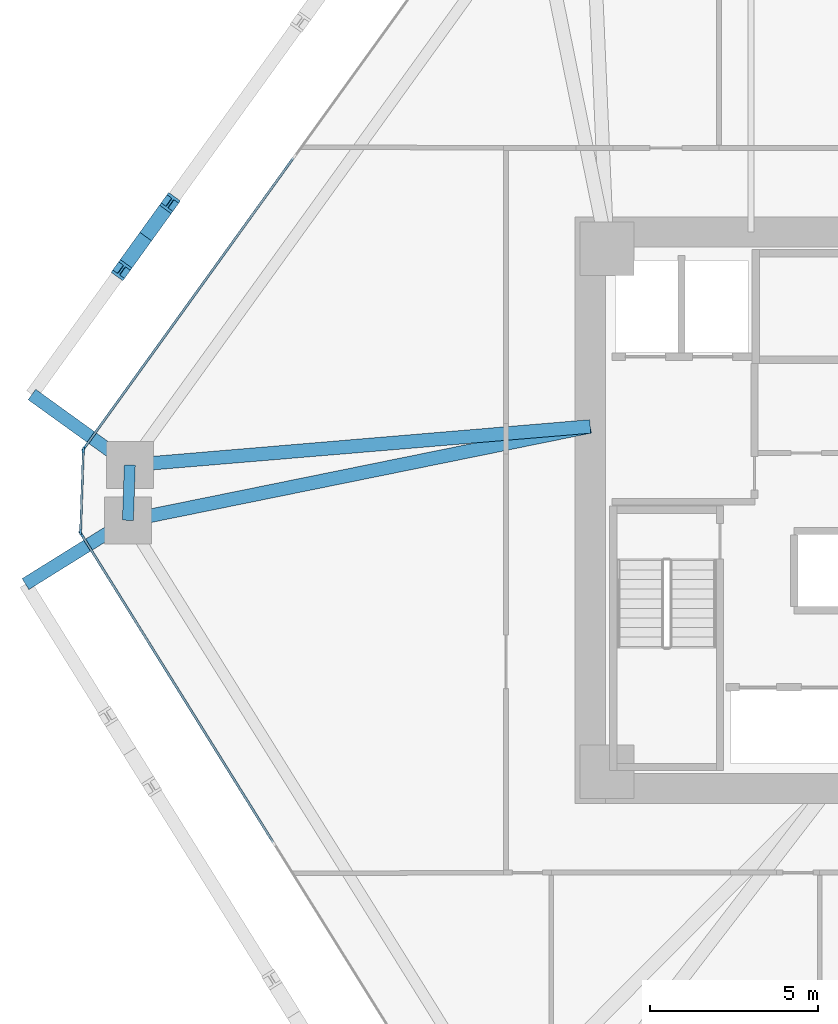
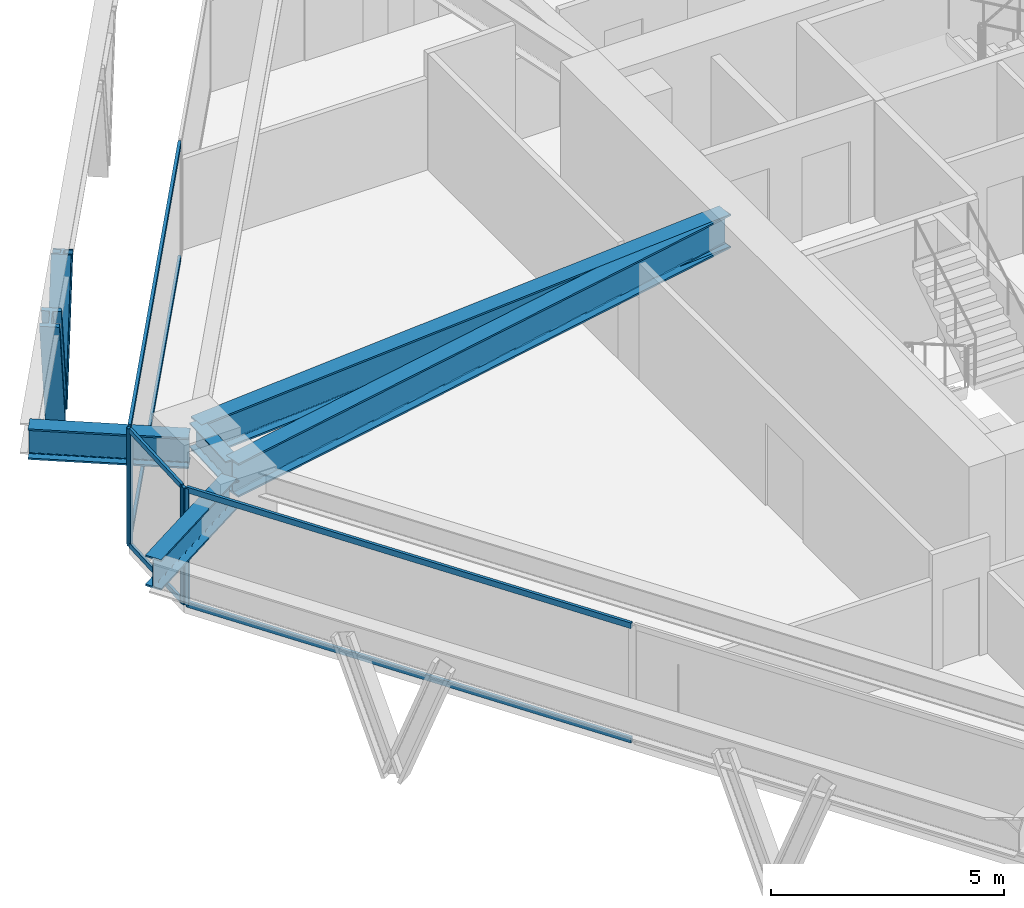
# One storey, part 4 of 15: 12 members, 5 beams, 3 elements without a shape of their own.
"""IFC4 building model written with IfcOpenShell, lengths in metres."""

import ifcopenshell
import ifcopenshell.guid

model = None  # the IFC model being written
_history = None  # IfcOwnerHistory: only IFC2X3 demands one
_inside = {}  # id of a spatial element -> (the spatial element, [elements in it])
_under = {}  # id of a project, library or spatial element -> (it, [spatial elements below it])
_declared = {}  # id of a project -> (the project, [libraries it declares])
_typed = {}  # id of a type object -> (the type object, [elements of that type])
_made_of = {}  # id of a material, layer set ... -> (it, [elements and type objects made of it])


def new_model(schema):
    """Start an empty IFC model of exactly this schema.

    Asked for "IFC4X3", IfcOpenShell would pick the latest addendum, in which some entities
    have other attributes; the version numbers below select the first issue.
    IFC2X3 requires an IfcOwnerHistory on every rooted entity: one is made here for all.
    """
    global model, _history
    if schema == "IFC4X3":
        model = ifcopenshell.file(schema_version=(4, 3, 0, 0))
    else:
        model = ifcopenshell.file(schema=schema)
    _inside.clear()
    _under.clear()
    _declared.clear()
    _typed.clear()
    _made_of.clear()
    _history = None
    if model.schema == "IFC2X3":
        org = make("IfcOrganization", Name="unknown")
        user = make(
            "IfcPersonAndOrganization",
            ThePerson=make("IfcPerson", FamilyName="unknown"),
            TheOrganization=org,
        )
        app = make(
            "IfcApplication",
            ApplicationDeveloper=org,
            Version="unknown",
            ApplicationFullName="unknown",
            ApplicationIdentifier="unknown",
        )
        _history = make(
            "IfcOwnerHistory",
            OwningUser=user,
            OwningApplication=app,
            ChangeAction="ADDED",
            CreationDate=0,
        )
    return model


def make(cls, **values):
    """One entity of the class cls with the attributes given. An attribute that is None is left unset."""
    return model.create_entity(
        cls, **{name: value for name, value in values.items() if value is not None}
    )


def rooted(cls, **values):
    """An entity with a GlobalId (a new one), such as an element, a storey or a relation."""
    return make(cls, GlobalId=ifcopenshell.guid.new(), OwnerHistory=_history, **values)


def si_unit(unit_type, name, prefix=None):
    """IfcSIUnit, for example si_unit("LENGTHUNIT", "METRE", prefix="MILLI")."""
    return make("IfcSIUnit", UnitType=unit_type, Prefix=prefix, Name=name)


def assignment(units):
    """IfcUnitAssignment: the units of a project."""
    return None if units is None else make("IfcUnitAssignment", Units=units)


def point(xyz):
    """IfcCartesianPoint."""
    return None if xyz is None else make("IfcCartesianPoint", Coordinates=xyz)


def direction(xyz):
    """IfcDirection."""
    return None if xyz is None else make("IfcDirection", DirectionRatios=xyz)


def frame(location, z_axis=None, x_axis=None):
    """IfcAxis2Placement3D, a coordinate frame: its origin and axes. An axis left out is left unset."""
    return make(
        "IfcAxis2Placement3D",
        Location=point(location),
        Axis=direction(z_axis),
        RefDirection=direction(x_axis),
    )


def frame_2d(location, x_axis=None):
    """IfcAxis2Placement2D, a coordinate frame in the plane: its origin and x axis."""
    return make(
        "IfcAxis2Placement2D", Location=point(location), RefDirection=direction(x_axis)
    )


def origin():
    """The frame at (0, 0, 0) with its axes left unset."""
    return frame((0.0, 0.0, 0.0))


def origin_2d():
    """The frame at (0, 0) in the plane with its x axis left unset."""
    return frame_2d((0.0, 0.0))


def place(relative_to, where):
    """IfcLocalPlacement: puts the frame where relative to a parent placement (None: the world)."""
    return make(
        "IfcLocalPlacement", PlacementRelTo=relative_to, RelativePlacement=where
    )


def context(
    kind, dimensions, precision=None, world=None, true_north=None, identifier=None
):
    """IfcGeometricRepresentationContext, for example the 3D "Model" context."""
    return make(
        "IfcGeometricRepresentationContext",
        ContextIdentifier=identifier,
        ContextType=kind,
        CoordinateSpaceDimension=dimensions,
        Precision=precision,
        WorldCoordinateSystem=world,
        TrueNorth=true_north,
    )


def subcontext(parent, identifier, kind, view, scale=None):
    """IfcGeometricRepresentationSubContext, for example "Body" below "Model"."""
    return make(
        "IfcGeometricRepresentationSubContext",
        ContextIdentifier=identifier,
        ContextType=kind,
        ParentContext=parent,
        TargetScale=scale,
        TargetView=view,
    )


def project(units=None, contexts=None):
    """IfcProject with its units and contexts."""
    return rooted(
        "IfcProject",
        Name="project",
        RepresentationContexts=contexts,
        UnitsInContext=assignment(units),
    )


def spatial(cls, under=None, at=None, **own):
    """A site, building, storey or space (cls), placed at a placement, below another one or the project."""
    s = rooted(cls, ObjectPlacement=at, **own)
    if under is not None:
        _under.setdefault(under.id(), (under, []))[1].append(s)
    return s


def profile(cls, at=None, kind="AREA", **sizes):
    """A parametric profile (cls). Its sizes go by their IFC names, for example OverallWidth=200.0."""
    return make(cls, ProfileType=kind, Position=at, **sizes)


def rectangle(**sizes):
    """IfcRectangleProfileDef."""
    return profile("IfcRectangleProfileDef", **sizes)


def i_section(**sizes):
    """IfcIShapeProfileDef."""
    return profile("IfcIShapeProfileDef", **sizes)


def extrude(swept, where, along, depth):
    """IfcExtrudedAreaSolid: the profile swept, set in the frame where, extruded along a direction by depth."""
    return make(
        "IfcExtrudedAreaSolid",
        SweptArea=swept,
        Position=where,
        ExtrudedDirection=direction(along),
        Depth=depth,
    )


def shape(context_of_items, identifier, shape_type, items):
    """IfcShapeRepresentation: the items that make up one representation, for example the "Body"."""
    return make(
        "IfcShapeRepresentation",
        ContextOfItems=context_of_items,
        RepresentationIdentifier=identifier,
        RepresentationType=shape_type,
        Items=items,
    )


def source(mapping_origin, context_of_items, identifier, shape_type, items):
    """IfcRepresentationMap: a shape defined once, which mapped items show again and again."""
    return make(
        "IfcRepresentationMap",
        MappingOrigin=mapping_origin,
        MappedRepresentation=shape(context_of_items, identifier, shape_type, items),
    )


def transform(
    local_origin,
    x_axis=None,
    y_axis=None,
    z_axis=None,
    scale=None,
    scale2=None,
    scale3=None,
    uniform=True,
):
    """IfcCartesianTransformationOperator3D, or its non-uniform kind. x_axis, y_axis, z_axis: its Axis1, 2, 3."""
    if uniform:
        return make(
            "IfcCartesianTransformationOperator3D",
            Axis1=direction(x_axis),
            Axis2=direction(y_axis),
            LocalOrigin=point(local_origin),
            Scale=scale,
            Axis3=direction(z_axis),
        )
    return make(
        "IfcCartesianTransformationOperator3DnonUniform",
        Axis1=direction(x_axis),
        Axis2=direction(y_axis),
        LocalOrigin=point(local_origin),
        Scale=scale,
        Axis3=direction(z_axis),
        Scale2=scale2,
        Scale3=scale3,
    )


def mapped(mapping_source, mapping_target):
    """IfcMappedItem: shows the shape of a source again, moved by a transform."""
    return make(
        "IfcMappedItem", MappingSource=mapping_source, MappingTarget=mapping_target
    )


def material(Name=None, Category=None):
    """IfcMaterial."""
    return make("IfcMaterial", Name=Name, Category=Category)


def layer(
    of_material, thickness, ventilated=None, Name=None, Category=None, Priority=None
):
    """IfcMaterialLayer: one layer of a wall or slab, of a material (None: an air gap)."""
    return make(
        "IfcMaterialLayer",
        Material=of_material,
        LayerThickness=thickness,
        IsVentilated=ventilated,
        Name=Name,
        Category=Category,
        Priority=Priority,
    )


def layer_set(layers, Name=None):
    """IfcMaterialLayerSet."""
    return make("IfcMaterialLayerSet", MaterialLayers=layers, LayerSetName=Name)


def material_profile(
    of_material, cross_section, Name=None, Category=None, Priority=None
):
    """IfcMaterialProfile: a cross section and its material."""
    return make(
        "IfcMaterialProfile",
        Name=Name,
        Material=of_material,
        Profile=cross_section,
        Priority=Priority,
        Category=Category,
    )


def profile_set(profiles, Name=None, composite=None):
    """IfcMaterialProfileSet."""
    return make(
        "IfcMaterialProfileSet",
        Name=Name,
        MaterialProfiles=profiles,
        CompositeProfile=composite,
    )


def made_of(thing, what):
    """Note that an element or type object is made of a material, layer set ...; save() writes the relation."""
    if what is not None:
        _made_of.setdefault(what.id(), (what, []))[1].append(thing)
    return thing


def type_object(cls, material=None, **own):
    """A type object (cls), such as IfcWallType, which elements share."""
    return made_of(rooted(cls, **own), material)


def type_shapes(of_type, sources):
    """Give a type object the sources (RepresentationMaps) that its elements show as mapped items."""
    of_type.RepresentationMaps = sources


def element(
    cls,
    number,
    at=None,
    inside=None,
    cuts=None,
    type_object=None,
    material=None,
    context=None,
    identifier="Body",
    shape_type=None,
    held_by="IfcProductDefinitionShape",
    body=None,
    shapes=None,
    **own,
):
    """One element of the class cls, such as IfcWall. Its Tag is "e" and its number.

    at: its placement. inside: the storey or other place that contains it. cuts: it is an
    opening in that element (IfcRelVoidsElement). A single representation is given by context,
    identifier, shape_type and body (its items); several are given by shapes. held_by: the class
    of the entity that holds the representations. save() writes the other relations.
    """
    e = rooted(cls, Tag="e%d" % number, ObjectPlacement=at, **own)
    if body is not None:
        shapes = [shape(context, identifier, shape_type, body)]
    if shapes is not None:
        e.Representation = make(held_by, Representations=shapes)
    if inside is not None:
        _inside.setdefault(inside.id(), (inside, []))[1].append(e)
    if cuts is not None:
        rooted(
            "IfcRelVoidsElement", RelatingBuildingElement=cuts, RelatedOpeningElement=e
        )
    if type_object is not None:
        _typed.setdefault(type_object.id(), (type_object, []))[1].append(e)
    return made_of(e, material)


def aggregate(whole, parts):
    """IfcRelAggregates: a whole, such as a stair, and the parts it consists of."""
    return rooted("IfcRelAggregates", RelatingObject=whole, RelatedObjects=parts)


def save(model, path):
    """Write the relations noted so far, then the file.

    IfcRelAggregates (storeys below a building ...), IfcRelContainedInSpatialStructure (elements
    in a storey), IfcRelDefinesByType, IfcRelAssociatesMaterial and IfcRelDeclares: one each for
    every whole, place, type object, material and project.
    """
    for whole, parts in _under.values():
        aggregate(whole, parts)
    for where, things in _inside.values():
        rooted(
            "IfcRelContainedInSpatialStructure",
            RelatedElements=things,
            RelatingStructure=where,
        )
    for kind, things in _typed.values():
        rooted("IfcRelDefinesByType", RelatedObjects=things, RelatingType=kind)
    for what, things in _made_of.values():
        rooted("IfcRelAssociatesMaterial", RelatedObjects=things, RelatingMaterial=what)
    for by, libraries in _declared.values():
        rooted("IfcRelDeclares", RelatingContext=by, RelatedDefinitions=libraries)
    model.write(path)


model = new_model("IFC4")

# Units and contexts
model_context = context("Model", 3, precision=1e-05, world=origin(), true_north=direction((0.0, 1.0)))
body_context = subcontext(model_context, "Body", "Model", "MODEL_VIEW")
ifc_project = project(units=[si_unit("LENGTHUNIT", "METRE"), si_unit("AREAUNIT", "SQUARE_METRE"), si_unit("VOLUMEUNIT", "CUBIC_METRE"), si_unit("PLANEANGLEUNIT", "RADIAN"), si_unit("MASSUNIT", "GRAM", prefix="KILO")], contexts=[model_context])

# Site, building, storey
site_placement = place(None, origin())
site = spatial("IfcSite", under=ifc_project, at=site_placement, CompositionType="ELEMENT")
building_placement = place(site_placement, origin())
building = spatial("IfcBuilding", under=site, at=building_placement, Name="Durnholm Broadcast Tower", CompositionType="ELEMENT")
storey_placement = place(building_placement, frame((0.0, 0.0, 62.10009765625)))
storey = spatial("IfcBuildingStorey", under=building, at=storey_placement, Name="L15", CompositionType="ELEMENT", Elevation=62.10009765625)

# Beams
ifc_material_1 = material(Name="Steel ASTM A992 Grade 50", Category="steel")
ifc_material_profile_1 = material_profile(ifc_material_1, i_section(OverallWidth=0.3291015625, OverallDepth=0.635009765625, WebThickness=0.017822265625, FlangeThickness=0.031005859375, FilletRadius=0.02783203125, at=origin_2d()), Name="W24X162")
ifc_profile_set_1 = profile_set([ifc_material_profile_1], Name="Steel ASTM A992 Grade 50")
beam_type_1 = type_object("IfcBeamType", Name="STL-SP-W24X162", PredefinedType="SPANDREL", material=ifc_profile_set_1)
shared_shape_1 = source(origin(), body_context, "Body", "SweptSolid", [
    extrude(i_section(OverallWidth=0.3291015625, OverallDepth=0.635009765625, WebThickness=0.017822265625, FlangeThickness=0.031005859375, FilletRadius=0.02783203125, at=origin_2d()), origin(), (0.0, 0.0, 1.0), 1.648193359375),
])
type_shapes(beam_type_1, [shared_shape_1])
beam_1_placement = place(storey_placement, frame((-24.0908203125, -0.2998046875, 2.727294921875), z_axis=(0.033921477804, 0.999424501072, 0.0), x_axis=(-0.999424501072, 0.033921477804, 0.0)))
element("IfcBeam", 1, at=beam_1_placement, inside=storey, type_object=beam_type_1, Name="L15 perimeter spandrel girder 02", PredefinedType="SPANDREL", context=body_context, shape_type="MappedRepresentation", body=[
    mapped(shared_shape_1, transform((0.0, 0.0, 0.0), x_axis=(1.0, 0.0, 0.0), y_axis=(0.0, 1.0, 0.0), z_axis=(0.0, 0.0, 1.0), scale=1.0)),
])
ifc_material_profile_2 = material_profile(ifc_material_1, i_section(OverallWidth=0.404052734375, OverallDepth=0.885009765625, WebThickness=0.0244140625, FlangeThickness=0.0439453125, FilletRadius=0.03564453125, at=origin_2d()), Name="W33X291")
ifc_profile_set_2 = profile_set([ifc_material_profile_2], Name="Steel ASTM A992 Grade 50")
beam_type_2 = type_object("IfcBeamType", Name="STL-GR-W33X291", PredefinedType="USERDEFINED", material=ifc_profile_set_2)
shared_shape_2 = source(origin(), body_context, "Body", "SweptSolid", [
    extrude(i_section(OverallWidth=0.404052734375, OverallDepth=0.885009765625, WebThickness=0.0244140625, FlangeThickness=0.0439453125, FilletRadius=0.03564453125, at=origin_2d()), origin(), (0.0, 0.0, 1.0), 14.072021484375),
])
beam_2_placement = place(storey_placement, frame((-10.300048828125, 2.5, 2.6025390625), z_axis=(-0.980007356767, -0.198961254225, 0.0), x_axis=(0.198961254225, -0.980007356767, 0.0)))
element("IfcBeam", 2, at=beam_2_placement, inside=storey, type_object=beam_type_2, Name="L15 radial primary floor girder 02", ObjectType="GIRDER", PredefinedType="USERDEFINED", context=body_context, shape_type="MappedRepresentation", body=[
    mapped(shared_shape_2, transform((0.0, 0.0, 0.0), x_axis=(1.0, 0.0, 0.0), y_axis=(0.0, 1.0, 0.0), z_axis=(0.0, 0.0, 1.0), scale=1.0)),
])
shared_shape_3 = source(origin(), body_context, "Body", "SweptSolid", [
    extrude(i_section(OverallWidth=0.404052734375, OverallDepth=0.885009765625, WebThickness=0.0244140625, FlangeThickness=0.0439453125, FilletRadius=0.03564453125, at=origin_2d()), origin(), (0.0, 0.0, 1.0), 13.783203125),
])
type_shapes(beam_type_2, [shared_shape_2, shared_shape_3])
beam_3_placement = place(storey_placement, frame((-10.300048828125, 2.5, 2.6025390625), z_axis=(-0.996497460403, -0.083623031579, 0.0), x_axis=(0.083623031579, -0.996497460403, 0.0)))
element("IfcBeam", 3, at=beam_3_placement, inside=storey, type_object=beam_type_2, Name="L15 radial primary floor girder 03", ObjectType="GIRDER", PredefinedType="USERDEFINED", context=body_context, shape_type="MappedRepresentation", body=[
    mapped(shared_shape_3, transform((0.0, 0.0, 0.0), x_axis=(1.0, 0.0, 0.0), y_axis=(0.0, 1.0, 0.0), z_axis=(0.0, 0.0, 1.0), scale=1.0)),
])
ifc_material_profile_3 = material_profile(ifc_material_1, i_section(OverallWidth=0.385009765625, OverallDepth=0.802978515625, WebThickness=0.023681640625, FlangeThickness=0.0419921875, FilletRadius=0.032958984375, at=origin_2d()), Name="W30X261")
ifc_profile_set_3 = profile_set([ifc_material_profile_3], Name="Steel ASTM A992 Grade 50")
beam_type_3 = type_object("IfcBeamType", Name="BM-EXO-TIE", PredefinedType="USERDEFINED", material=ifc_profile_set_3)
shared_shape_4 = source(origin(), body_context, "Body", "SweptSolid", [
    extrude(i_section(OverallWidth=0.385009765625, OverallDepth=0.802978515625, WebThickness=0.023681640625, FlangeThickness=0.0419921875, FilletRadius=0.032958984375, at=origin_2d()), origin(), (0.0, 0.0, 1.0), 3.4560546875),
])
beam_4_placement = place(storey_placement, frame((-24.212890625, -0.375732421875, 2.30859375), z_axis=(-0.848874183218, -0.528594949906, 0.0), x_axis=(0.528594949906, -0.848874183218, 0.0)))
element("IfcBeam", 4, at=beam_4_placement, inside=storey, type_object=beam_type_3, Name="L15 exoskeleton stand-off tie bracket F6.1", ObjectType="GIRDER", PredefinedType="USERDEFINED", context=body_context, shape_type="MappedRepresentation", body=[
    mapped(shared_shape_4, transform((0.0, 0.0, 0.0), x_axis=(1.0, 0.0, 0.0), y_axis=(0.0, 1.0, 0.0), z_axis=(0.0, 0.0, 1.0), scale=1.0)),
])
shared_shape_5 = source(origin(), body_context, "Body", "SweptSolid", [
    extrude(i_section(OverallWidth=0.385009765625, OverallDepth=0.802978515625, WebThickness=0.023681640625, FlangeThickness=0.0419921875, FilletRadius=0.032958984375, at=origin_2d()), origin(), (0.0, 0.0, 1.0), 3.455810546875),
])
type_shapes(beam_type_3, [shared_shape_4, shared_shape_5])
beam_5_placement = place(storey_placement, frame((-24.15185546875, 1.431396484375, 2.30859375), z_axis=(-0.811133512552, 0.584861030344, 0.0), x_axis=(-0.584861030344, -0.811133512552, 0.0)))
element("IfcBeam", 5, at=beam_5_placement, inside=storey, type_object=beam_type_3, Name="L15 exoskeleton stand-off tie bracket F5.2", ObjectType="GIRDER", PredefinedType="USERDEFINED", context=body_context, shape_type="MappedRepresentation", body=[
    mapped(shared_shape_5, transform((0.0, 0.0, 0.0), x_axis=(1.0, 0.0, 0.0), y_axis=(0.0, 1.0, 0.0), z_axis=(0.0, 0.0, 1.0), scale=1.0)),
])

# Members
ifc_material_2 = material(Name="Steel ASTM A913 Grade 65", Category="steel")
ifc_material_profile_4 = material_profile(ifc_material_2, i_section(OverallWidth=0.43212890625, OverallDepth=0.497802734375, WebThickness=0.0556640625, FlangeThickness=0.0888671875, FilletRadius=0.030517578125, at=origin_2d()), Name="W14X500")
ifc_profile_set_4 = profile_set([ifc_material_profile_4], Name="Steel ASTM A913 Grade 65")
member_type_1 = type_object("IfcMemberType", Name="STL-DG-W14X500", PredefinedType="BRACE", material=ifc_profile_set_4)
shared_shape_6 = source(origin(), body_context, "Body", "SweptSolid", [
    extrude(i_section(OverallWidth=0.43212890625, OverallDepth=0.497802734375, WebThickness=0.0556640625, FlangeThickness=0.0888671875, FilletRadius=0.030517578125, at=origin_2d()), origin(), (0.0, 0.0, 1.0), 3.523193359375),
])
type_shapes(member_type_1, [shared_shape_6])
for number, where, z_axis, x_axis, name in (
    (6, (-23.5595703125, 8.16259765625, -0.991455078125), (0.204839138341, 0.284044529113, 0.93667477434), (-0.81109123444, 0.58491966065, 0.0), "L15 stand-off diagrid brace F5.D2.1"),
    (7, (-23.5595703125, 8.16259765625, -0.991455078125), (-0.20477274847, -0.284048560399, 0.936688068046), (0.811185111535, -0.584789461963, 0.0), "L15 stand-off diagrid brace F5.D2.2"),
):
    element("IfcMember", number, at=place(storey_placement, frame(where, z_axis=z_axis, x_axis=x_axis)), inside=storey, type_object=member_type_1, Name=name, PredefinedType="BRACE", context=body_context, shape_type="MappedRepresentation", body=[
        mapped(shared_shape_6, transform((0.0, 0.0, 0.0), x_axis=(1.0, 0.0, 0.0), y_axis=(0.0, 1.0, 0.0), z_axis=(0.0, 0.0, 1.0), scale=1.0)),
    ])

# Curtain wall, members
ifc_material_3 = material(Name="Aluminium and Solar Control IGU", Category="aluminium")
ifc_layer_1 = layer(ifc_material_3, 0.1650390625)
ifc_layer_set_1 = layer_set([ifc_layer_1], Name="Aluminium and Solar Control IGU")
curtain_wall_type_1 = type_object("IfcCurtainWallType", Name="CW-SYS-5", PredefinedType="NOTDEFINED", material=ifc_layer_set_1)
curtain_wall_1_placement = place(storey_placement, origin())
curtain_wall_1 = element("IfcCurtainWall", 8, at=curtain_wall_1_placement, inside=storey, type_object=curtain_wall_type_1, Name="L15 curtain wall CW-CORNER CW-L15-CRN-01", PredefinedType="NOTDEFINED")
ifc_material_4 = material(Name="Aluminium 6063-T6", Category="aluminium")
ifc_material_profile_5 = material_profile(ifc_material_4, rectangle(XDim=0.06494140625, YDim=0.1298828125, at=origin_2d()), Name="CWT65X130")
ifc_profile_set_5 = profile_set([ifc_material_profile_5], Name="Aluminium 6063-T6")
member_type_2 = type_object("IfcMemberType", Name="CW-SYS-5-TRN", PredefinedType="USERDEFINED", material=ifc_profile_set_5)
shared_shape_7 = source(origin(), body_context, "Body", "SweptSolid", [
    extrude(rectangle(XDim=0.06494140625, YDim=0.1298828125, at=origin_2d()), origin(), (0.0, 0.0, 1.0), 2.3701171875),
])
type_shapes(member_type_2, [shared_shape_7])
member_1_placement = place(storey_placement, frame((-25.502197265625, -0.613037109375, 0.032470703125), z_axis=(0.033788158898, 0.999429017148, 0.0), x_axis=(-0.999429017148, 0.033788158898, 0.0)))
member_1 = element("IfcMember", 9, at=member_1_placement, type_object=member_type_2, Name="CW-CORNER transom 1.1", ObjectType="TRANSOM", PredefinedType="USERDEFINED", context=body_context, shape_type="MappedRepresentation", body=[
    mapped(shared_shape_7, transform((0.0, 0.0, 0.0), x_axis=(1.0, 0.0, 0.0), y_axis=(0.0, 1.0, 0.0), z_axis=(0.0, 0.0, 1.0), scale=1.0)),
])
member_2_placement = place(storey_placement, frame((-25.502197265625, -0.613037109375, 3.02734375), z_axis=(0.033788158898, 0.999429017148, 0.0), x_axis=(-0.999429017148, 0.033788158898, 0.0)))
member_2 = element("IfcMember", 10, at=member_2_placement, type_object=member_type_2, Name="CW-CORNER transom 1.2", ObjectType="TRANSOM", PredefinedType="USERDEFINED", context=body_context, shape_type="MappedRepresentation", body=[
    mapped(shared_shape_7, transform((0.0, 0.0, 0.0), x_axis=(1.0, 0.0, 0.0), y_axis=(0.0, 1.0, 0.0), z_axis=(0.0, 0.0, 1.0), scale=1.0)),
])

ifc_layer_2 = layer(ifc_material_3, 0.18994140625)
ifc_layer_set_2 = layer_set([ifc_layer_2], Name="Aluminium and Solar Control IGU")
curtain_wall_type_2 = type_object("IfcCurtainWallType", Name="CW-SYS-3", PredefinedType="NOTDEFINED", material=ifc_layer_set_2)
curtain_wall_2_placement = place(storey_placement, origin())
curtain_wall_2 = element("IfcCurtainWall", 11, at=curtain_wall_2_placement, inside=storey, type_object=curtain_wall_type_2, Name="L15 curtain wall CW-Z12-VIS CW-L15-F02", PredefinedType="NOTDEFINED")
ifc_material_profile_6 = material_profile(ifc_material_4, rectangle(XDim=0.070068359375, YDim=0.14990234375, at=origin_2d()), Name="CWT70X150")
ifc_profile_set_6 = profile_set([ifc_material_profile_6], Name="Aluminium 6063-T6")
member_type_3 = type_object("IfcMemberType", Name="CW-SYS-3-TRN", PredefinedType="USERDEFINED", material=ifc_profile_set_6)
shared_shape_8 = source(origin(), body_context, "Body", "SweptSolid", [
    extrude(rectangle(XDim=0.070068359375, YDim=0.14990234375, at=origin_2d()), origin(), (0.0, 0.0, 1.0), 10.6455078125),
])
member_3_placement = place(storey_placement, frame((-25.37890625, 1.877197265625, 0.034912109375), z_axis=(0.584812103659, 0.811168788486, 0.0), x_axis=(-0.811168788486, 0.584812103659, 0.0)))
member_3 = element("IfcMember", 12, at=member_3_placement, type_object=member_type_3, Name="CW-Z12-VIS transom 1.1", ObjectType="TRANSOM", PredefinedType="USERDEFINED", context=body_context, shape_type="MappedRepresentation", body=[
    mapped(shared_shape_8, transform((0.0, 0.0, 0.0), x_axis=(1.0, 0.0, 0.0), y_axis=(0.0, 1.0, 0.0), z_axis=(0.0, 0.0, 1.0), scale=1.0)),
])
member_4_placement = place(storey_placement, frame((-25.37890625, 1.877197265625, 3.02490234375), z_axis=(0.584812103659, 0.811168788486, 0.0), x_axis=(-0.811168788486, 0.584812103659, 0.0)))
member_4 = element("IfcMember", 13, at=member_4_placement, type_object=member_type_3, Name="CW-Z12-VIS transom 1.2", ObjectType="TRANSOM", PredefinedType="USERDEFINED", context=body_context, shape_type="MappedRepresentation", body=[
    mapped(shared_shape_8, transform((0.0, 0.0, 0.0), x_axis=(1.0, 0.0, 0.0), y_axis=(0.0, 1.0, 0.0), z_axis=(0.0, 0.0, 1.0), scale=1.0)),
])

curtain_wall_3_placement = place(storey_placement, origin())
curtain_wall_3 = element("IfcCurtainWall", 14, at=curtain_wall_3_placement, inside=storey, type_object=curtain_wall_type_2, Name="L15 curtain wall CW-Z12-VIS CW-L15-F12", PredefinedType="NOTDEFINED")
shared_shape_9 = source(origin(), body_context, "Body", "SweptSolid", [
    extrude(rectangle(XDim=0.070068359375, YDim=0.14990234375, at=origin_2d()), origin(), (0.0, 0.0, 1.0), 10.796630859375),
])
type_shapes(member_type_3, [shared_shape_8, shared_shape_9])
member_5_placement = place(storey_placement, frame((-19.760498046875, -9.902587890625, 0.034912109375), z_axis=(-0.528575362968, 0.848886379714, 0.0), x_axis=(-0.848886379714, -0.528575362968, 0.0)))
member_5 = element("IfcMember", 15, at=member_5_placement, type_object=member_type_3, Name="CW-Z12-VIS transom 2.1", ObjectType="TRANSOM", PredefinedType="USERDEFINED", context=body_context, shape_type="MappedRepresentation", body=[
    mapped(shared_shape_9, transform((0.0, 0.0, 0.0), x_axis=(1.0, 0.0, 0.0), y_axis=(0.0, 1.0, 0.0), z_axis=(0.0, 0.0, 1.0), scale=1.0)),
])
member_6_placement = place(storey_placement, frame((-19.760498046875, -9.902587890625, 3.02490234375), z_axis=(-0.528575362968, 0.848886379714, 0.0), x_axis=(-0.848886379714, -0.528575362968, 0.0)))
member_6 = element("IfcMember", 16, at=member_6_placement, type_object=member_type_3, Name="CW-Z12-VIS transom 2.2", ObjectType="TRANSOM", PredefinedType="USERDEFINED", context=body_context, shape_type="MappedRepresentation", body=[
    mapped(shared_shape_9, transform((0.0, 0.0, 0.0), x_axis=(1.0, 0.0, 0.0), y_axis=(0.0, 1.0, 0.0), z_axis=(0.0, 0.0, 1.0), scale=1.0)),
])

# Member
ifc_material_profile_7 = material_profile(ifc_material_4, rectangle(XDim=0.06494140625, YDim=0.1650390625, at=origin_2d()), Name="CWM65X165")
ifc_profile_set_7 = profile_set([ifc_material_profile_7], Name="Aluminium 6063-T6")
member_type_4 = type_object("IfcMemberType", Name="CW-SYS-5-MUL", PredefinedType="MULLION", material=ifc_profile_set_7)
shared_shape_10 = source(origin(), body_context, "Body", "SweptSolid", [
    extrude(rectangle(XDim=0.06494140625, YDim=0.1650390625, at=origin_2d()), origin(), (0.0, 0.0, 1.0), 3.059814453125),
])
type_shapes(member_type_4, [shared_shape_10])
member_7_placement = place(storey_placement, frame((-25.50341796875, -0.6455078125, 0.0), z_axis=(0.0, 0.0, 1.0), x_axis=(-0.999427277772, 0.033839569233, 0.0)))
member_7 = element("IfcMember", 17, at=member_7_placement, type_object=member_type_4, Name="CW-CORNER mullion 1", PredefinedType="MULLION", context=body_context, shape_type="MappedRepresentation", body=[
    mapped(shared_shape_10, transform((0.0, 0.0, 0.0), x_axis=(1.0, 0.0, 0.0), y_axis=(0.0, 1.0, 0.0), z_axis=(0.0, 0.0, 1.0), scale=1.0)),
])

member_8_placement = place(storey_placement, frame((-25.4208984375, 1.7880859375, 0.0), z_axis=(0.0, 0.0, 1.0), x_axis=(-0.999427277772, 0.033839569233, 0.0)))
member_8 = element("IfcMember", 18, at=member_8_placement, type_object=member_type_4, Name="CW-CORNER mullion 2", PredefinedType="MULLION", context=body_context, shape_type="MappedRepresentation", body=[
    mapped(shared_shape_10, transform((0.0, 0.0, 0.0), x_axis=(1.0, 0.0, 0.0), y_axis=(0.0, 1.0, 0.0), z_axis=(0.0, 0.0, 1.0), scale=1.0)),
])

aggregate(curtain_wall_1, [member_7, member_8, member_1, member_2])

ifc_material_profile_8 = material_profile(ifc_material_4, rectangle(XDim=0.070068359375, YDim=0.18994140625, at=origin_2d()), Name="CWM70X190")
ifc_profile_set_8 = profile_set([ifc_material_profile_8], Name="Aluminium 6063-T6")
member_type_5 = type_object("IfcMemberType", Name="CW-SYS-3-MUL", PredefinedType="MULLION", material=ifc_profile_set_8)
shared_shape_11 = source(origin(), body_context, "Body", "SweptSolid", [
    extrude(rectangle(XDim=0.070068359375, YDim=0.18994140625, at=origin_2d()), origin(), (0.0, 0.0, 1.0), 3.059814453125),
])
type_shapes(member_type_5, [shared_shape_11])
member_9_placement = place(storey_placement, frame((-25.3994140625, 1.848876953125, 0.0), z_axis=(0.0, 0.0, 1.0), x_axis=(-0.81116057493, 0.584823496176, 0.0)))
member_9 = element("IfcMember", 19, at=member_9_placement, type_object=member_type_5, Name="CW-Z12-VIS mullion 1", PredefinedType="MULLION", context=body_context, shape_type="MappedRepresentation", body=[
    mapped(shared_shape_11, transform((0.0, 0.0, 0.0), x_axis=(1.0, 0.0, 0.0), y_axis=(0.0, 1.0, 0.0), z_axis=(0.0, 0.0, 1.0), scale=1.0)),
])

aggregate(curtain_wall_2, [member_9, member_3, member_4])

member_10_placement = place(storey_placement, frame((-25.48583984375, -0.707763671875, 0.0), z_axis=(0.0, 0.0, 1.0), x_axis=(-0.848875785503, -0.528592376777, 0.0)))
member_10 = element("IfcMember", 20, at=member_10_placement, type_object=member_type_5, Name="CW-Z12-VIS mullion 3", PredefinedType="MULLION", context=body_context, shape_type="MappedRepresentation", body=[
    mapped(shared_shape_11, transform((0.0, 0.0, 0.0), x_axis=(1.0, 0.0, 0.0), y_axis=(0.0, 1.0, 0.0), z_axis=(0.0, 0.0, 1.0), scale=1.0)),
])

aggregate(curtain_wall_3, [member_10, member_5, member_6])

save(model, "model.ifc")
